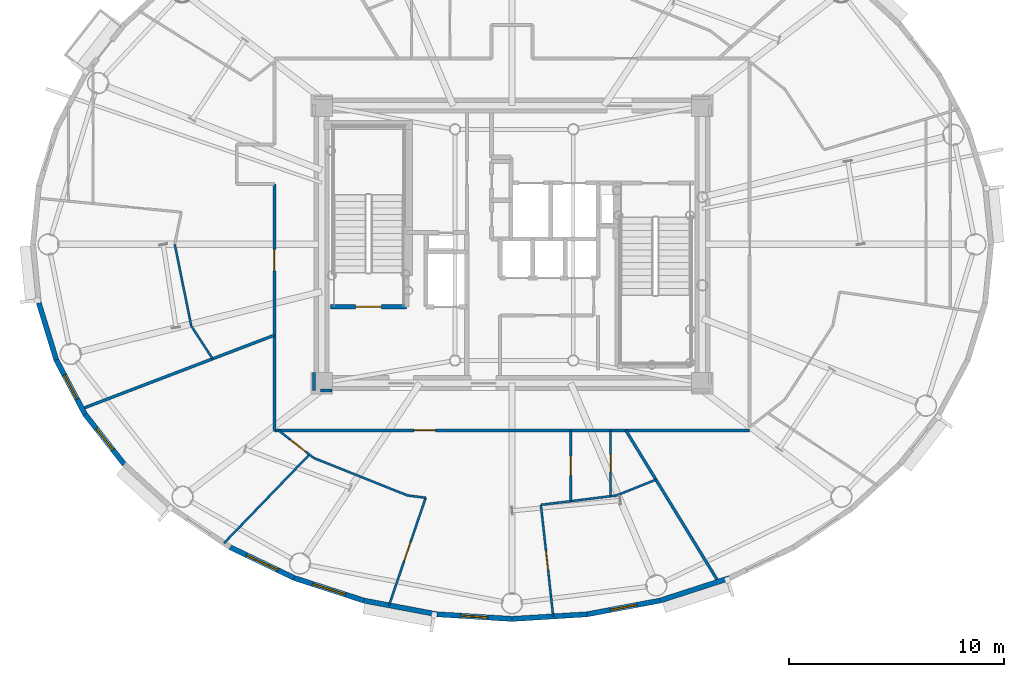
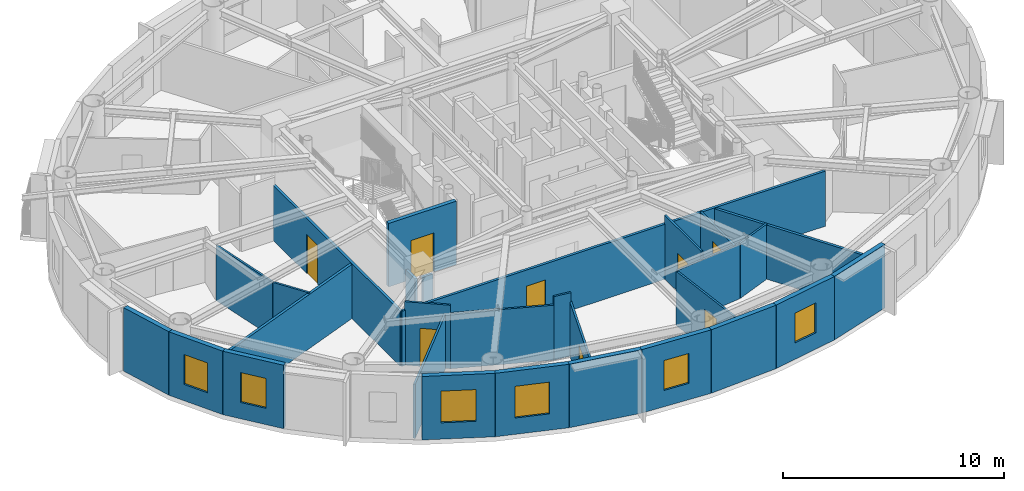
# One storey, part 7 of 18: 29 walls, 8 doors, 6 windows, 14 openings.
"""IFC4 building model written with IfcOpenShell, lengths in metres."""

from ifc_helpers import new_model, si_unit, direction, frame, frame_2d, origin, origin_2d, place, context, subcontext, project, spatial, rectangle, extrude, source, transform, mapped, material, layer, layer_set, type_object, element, fill, save


model = new_model("IFC4")

# Units and contexts
model_context = context("Model", 3, precision=1e-05, world=origin(), true_north=direction((0.0, 1.0)))
body_context = subcontext(model_context, "Body", "Model", "MODEL_VIEW")
ifc_project = project(units=[si_unit("LENGTHUNIT", "METRE"), si_unit("AREAUNIT", "SQUARE_METRE"), si_unit("VOLUMEUNIT", "CUBIC_METRE"), si_unit("PLANEANGLEUNIT", "RADIAN"), si_unit("MASSUNIT", "GRAM", prefix="KILO")], contexts=[model_context])

# Site, building, storey
site_placement = place(None, origin())
site = spatial("IfcSite", under=ifc_project, at=site_placement, CompositionType="ELEMENT")
building_placement = place(site_placement, origin())
building = spatial("IfcBuilding", under=site, at=building_placement, Name="Linh Dai School and Residence Tower", CompositionType="ELEMENT")
storey_placement = place(building_placement, frame((0.0, 0.0, 291.75)))
storey = spatial("IfcBuildingStorey", under=building, at=storey_placement, Name="L72", CompositionType="ELEMENT", Elevation=291.75)

# Wall
ifc_material_1 = material(Name="Precast Concrete B45 (C35/45)", Category="concrete")
ifc_layer_1 = layer(ifc_material_1, 0.239990234375)
ifc_layer_set_1 = layer_set([ifc_layer_1], Name="Precast Concrete B45 (C35/45)")
wall_type_1 = type_object("IfcWallType", Name="EW-TC-240", PredefinedType="SOLIDWALL", material=ifc_layer_set_1)
wall_1_placement = place(storey_placement, frame((14.811767578125, 21.627685546875, 0.0), z_axis=(0.0, 0.0, 1.0), x_axis=(-0.2931213403, 0.956075248012, 0.0)))
element("IfcWall", 1, at=wall_1_placement, inside=storey, type_object=wall_type_1, Name="L72 Terracotta Exterior Wall 22", PredefinedType="SOLIDWALL", context=body_context, shape_type="SweptSolid", body=[
    extrude(rectangle(XDim=2.775146484375, YDim=0.239990234375, at=frame_2d((1.3876953125, 0.0))), origin(), (0.0, 0.0, 1.0), 3.5),
])

# Wall, opening, window
wall_2_placement = place(storey_placement, frame((16.146240234375, 19.105224609375, 0.0), z_axis=(0.0, 0.0, 1.0), x_axis=(-0.467628269026, 0.883925224218, 0.0)))
wall_2 = element("IfcWall", 2, at=wall_2_placement, inside=storey, type_object=wall_type_1, Name="L72 Terracotta Exterior Wall 23", PredefinedType="SOLIDWALL", context=body_context, shape_type="SweptSolid", body=[
    extrude(rectangle(XDim=2.853759765625, YDim=0.239990234375, at=frame_2d((1.4267578125, 0.0))), origin(), (0.0, 0.0, 1.0), 3.5),
])
opening_1_placement = place(wall_2_placement, frame((0.802001953125, 0.0, 0.89990234375)))
opening_1 = element("IfcOpeningElement", 3, at=opening_1_placement, cuts=wall_2, Name="Opening W3", PredefinedType="OPENING", context=body_context, shape_type="SweptSolid", body=[
    extrude(rectangle(XDim=1.25, YDim=1.64990234375, at=origin_2d()), frame((0.625, 0.1298828125, 0.824951171875), z_axis=(0.0, -1.0, 0.0), x_axis=(1.0, 0.0, 0.0)), (0.0, 0.0, 1.0), 0.260009765625),
])
ifc_material_2 = material(Name="Double Low-E Insulated Glazing", Category="glass")
window_type_1 = type_object("IfcWindowType", Name="WN-RES-1250x1650", PartitioningType="SINGLE_PANEL", PredefinedType="WINDOW", material=ifc_material_2)
shared_shape_1 = source(origin(), body_context, "Body", "SweptSolid", [
    extrude(rectangle(XDim=1.25, YDim=1.64990234375, at=origin_2d()), frame((0.625, 0.030029296875, 0.824951171875), z_axis=(0.0, -1.0, 0.0), x_axis=(1.0, 0.0, 0.0)), (0.0, 0.0, 1.0), 0.06005859375),
])
window_1_placement = place(opening_1_placement, origin())
window_1 = element("IfcWindow", 4, at=window_1_placement, inside=storey, type_object=window_type_1, Name="L72 Dwelling Window U7202-BD2", OverallHeight=1.64990234375, OverallWidth=1.25, PartitioningType="SINGLE_PANEL", PredefinedType="WINDOW", context=body_context, shape_type="MappedRepresentation", body=[
    mapped(shared_shape_1, transform((0.0, 0.0, 0.0), x_axis=(1.0, 0.0, 0.0), y_axis=(0.0, 1.0, 0.0), z_axis=(0.0, 0.0, 1.0), scale=1.0)),
])
fill(opening_1, window_1)

wall_3_placement = place(storey_placement, frame((17.9697265625, 16.775390625, 0.0), z_axis=(0.0, 0.0, 1.0), x_axis=(-0.616337186556, 0.787482363275, 0.0)))
wall_3 = element("IfcWall", 5, at=wall_3_placement, inside=storey, type_object=wall_type_1, Name="L72 Terracotta Exterior Wall 24", PredefinedType="SOLIDWALL", context=body_context, shape_type="SweptSolid", body=[
    extrude(rectangle(XDim=2.95849609375, YDim=0.239990234375, at=frame_2d((1.479248046875, 0.0))), origin(), (0.0, 0.0, 1.0), 3.5),
])
opening_2_placement = place(wall_3_placement, frame((0.85400390625, 0.0, 0.89990234375)))
opening_2 = element("IfcOpeningElement", 6, at=opening_2_placement, cuts=wall_3, Name="Opening W3", PredefinedType="OPENING", context=body_context, shape_type="SweptSolid", body=[
    extrude(rectangle(XDim=1.25, YDim=1.64990234375, at=origin_2d()), frame((0.625, 0.1298828125, 0.824951171875), z_axis=(0.0, -1.0, 0.0), x_axis=(1.0, 0.0, 0.0)), (0.0, 0.0, 1.0), 0.260009765625),
])
window_2_placement = place(opening_2_placement, origin())
window_2 = element("IfcWindow", 7, at=window_2_placement, inside=storey, type_object=window_type_1, Name="L72 Exterior Window 24.1", OverallHeight=1.64990234375, OverallWidth=1.25, PartitioningType="SINGLE_PANEL", PredefinedType="WINDOW", context=body_context, shape_type="MappedRepresentation", body=[
    mapped(shared_shape_1, transform((0.0, 0.0, 0.0), x_axis=(1.0, 0.0, 0.0), y_axis=(0.0, 1.0, 0.0), z_axis=(0.0, 0.0, 1.0), scale=1.0)),
])
fill(opening_2, window_2)

wall_4_placement = place(storey_placement, frame((25.876953125, 11.48779296875, 0.0), z_axis=(0.0, 0.0, 1.0), x_axis=(-0.901573741254, 0.43262546051, 0.0)))
wall_4 = element("IfcWall", 8, at=wall_4_placement, inside=storey, type_object=wall_type_1, Name="L72 Terracotta Exterior Wall 27", PredefinedType="SOLIDWALL", context=body_context, shape_type="SweptSolid", body=[
    extrude(rectangle(XDim=3.306884765625, YDim=0.239990234375, at=frame_2d((1.6533203125, 0.0))), origin(), (0.0, 0.0, 1.0), 3.5),
])
opening_3_placement = place(wall_4_placement, frame((0.853271484375, 0.0, 0.89990234375)))
opening_3 = element("IfcOpeningElement", 9, at=opening_3_placement, cuts=wall_4, Name="Opening W2", PredefinedType="OPENING", context=body_context, shape_type="SweptSolid", body=[
    extrude(rectangle(XDim=1.60009765625, YDim=1.75, at=origin_2d()), frame((0.800048828125, 0.1298828125, 0.875), z_axis=(0.0, -1.0, 0.0), x_axis=(1.0, 0.0, 0.0)), (0.0, 0.0, 1.0), 0.260009765625),
])
window_type_2 = type_object("IfcWindowType", Name="WN-RES-1600x1750", PartitioningType="DOUBLE_PANEL_VERTICAL", PredefinedType="WINDOW", material=ifc_material_2)
shared_shape_2 = source(origin(), body_context, "Body", "SweptSolid", [
    extrude(rectangle(XDim=1.60009765625, YDim=1.75, at=origin_2d()), frame((0.800048828125, 0.030029296875, 0.875), z_axis=(0.0, -1.0, 0.0), x_axis=(1.0, 0.0, 0.0)), (0.0, 0.0, 1.0), 0.06005859375),
])
window_3_placement = place(opening_3_placement, origin())
window_3 = element("IfcWindow", 10, at=window_3_placement, inside=storey, type_object=window_type_2, Name="L72 Exterior Window 27.1", OverallHeight=1.75, OverallWidth=1.60009765625, PartitioningType="DOUBLE_PANEL_VERTICAL", PredefinedType="WINDOW", context=body_context, shape_type="MappedRepresentation", body=[
    mapped(shared_shape_2, transform((0.0, 0.0, 0.0), x_axis=(1.0, 0.0, 0.0), y_axis=(0.0, 1.0, 0.0), z_axis=(0.0, 0.0, 1.0), scale=1.0)),
])
fill(opening_3, window_3)

wall_5_placement = place(storey_placement, frame((29.10888671875, 10.439697265625, 0.0), z_axis=(0.0, 0.0, 1.0), x_axis=(-0.95123136723, 0.308478339592, 0.0)))
wall_5 = element("IfcWall", 11, at=wall_5_placement, inside=storey, type_object=wall_type_1, Name="L72 Terracotta Exterior Wall 28", PredefinedType="SOLIDWALL", context=body_context, shape_type="SweptSolid", body=[
    extrude(rectangle(XDim=3.397705078125, YDim=0.239990234375, at=frame_2d((1.69873046875, 0.0))), origin(), (0.0, 0.0, 1.0), 3.5),
])
opening_4_placement = place(wall_5_placement, frame((0.898681640625, 0.0, 0.89990234375)))
opening_4 = element("IfcOpeningElement", 12, at=opening_4_placement, cuts=wall_5, Name="Opening W2", PredefinedType="OPENING", context=body_context, shape_type="SweptSolid", body=[
    extrude(rectangle(XDim=1.60009765625, YDim=1.75, at=origin_2d()), frame((0.800048828125, 0.1298828125, 0.875), z_axis=(0.0, -1.0, 0.0), x_axis=(1.0, 0.0, 0.0)), (0.0, 0.0, 1.0), 0.260009765625),
])
window_4_placement = place(opening_4_placement, origin())
window_4 = element("IfcWindow", 13, at=window_4_placement, inside=storey, type_object=window_type_2, Name="L72 Exterior Window 28.1", OverallHeight=1.75, OverallWidth=1.60009765625, PartitioningType="DOUBLE_PANEL_VERTICAL", PredefinedType="WINDOW", context=body_context, shape_type="MappedRepresentation", body=[
    mapped(shared_shape_2, transform((0.0, 0.0, 0.0), x_axis=(1.0, 0.0, 0.0), y_axis=(0.0, 1.0, 0.0), z_axis=(0.0, 0.0, 1.0), scale=1.0)),
])
fill(opening_4, window_4)

# Wall
wall_6_placement = place(storey_placement, frame((32.51123046875, 9.800048828125, 0.0), z_axis=(0.0, 0.0, 1.0), x_axis=(-0.982782655757, 0.184765395959, 0.0)))
element("IfcWall", 14, at=wall_6_placement, inside=storey, type_object=wall_type_1, Name="L72 Terracotta Exterior Wall 29", PredefinedType="SOLIDWALL", context=body_context, shape_type="SweptSolid", body=[
    extrude(rectangle(XDim=3.4619140625, YDim=0.239990234375, at=frame_2d((1.73095703125, 0.0))), origin(), (0.0, 0.0, 1.0), 3.5),
])

# Wall, opening, window
wall_7_placement = place(storey_placement, frame((36.0, 9.5849609375, 0.0), z_axis=(0.0, 0.0, 1.0), x_axis=(-0.998104946479, 0.061534671648, 0.0)))
wall_7 = element("IfcWall", 15, at=wall_7_placement, inside=storey, type_object=wall_type_1, Name="L72 Terracotta Exterior Wall 30", PredefinedType="SOLIDWALL", context=body_context, shape_type="SweptSolid", body=[
    extrude(rectangle(XDim=3.495361328125, YDim=0.239990234375, at=frame_2d((1.74755859375, 0.0))), origin(), (0.0, 0.0, 1.0), 3.5),
])
opening_5_placement = place(wall_7_placement, frame((1.122802734375, 0.0, 0.89990234375)))
opening_5 = element("IfcOpeningElement", 16, at=opening_5_placement, cuts=wall_7, Name="Opening W3", PredefinedType="OPENING", context=body_context, shape_type="SweptSolid", body=[
    extrude(rectangle(XDim=1.25, YDim=1.64990234375, at=origin_2d()), frame((0.625, 0.1298828125, 0.824951171875), z_axis=(0.0, -1.0, 0.0), x_axis=(1.0, 0.0, 0.0)), (0.0, 0.0, 1.0), 0.260009765625),
])
window_5_placement = place(opening_5_placement, origin())
window_5 = element("IfcWindow", 17, at=window_5_placement, inside=storey, type_object=window_type_1, Name="L72 Dwelling Window U7203-LIV", OverallHeight=1.64990234375, OverallWidth=1.25, PartitioningType="SINGLE_PANEL", PredefinedType="WINDOW", context=body_context, shape_type="MappedRepresentation", body=[
    mapped(shared_shape_1, transform((0.0, 0.0, 0.0), x_axis=(1.0, 0.0, 0.0), y_axis=(0.0, 1.0, 0.0), z_axis=(0.0, 0.0, 1.0), scale=1.0)),
])
fill(opening_5, window_5)

# Wall
wall_8_placement = place(storey_placement, frame((39.48876953125, 9.800048828125, 0.0), z_axis=(0.0, 0.0, 1.0), x_axis=(-0.998104946479, -0.061534671648, 0.0)))
element("IfcWall", 18, at=wall_8_placement, inside=storey, type_object=wall_type_1, Name="L72 Terracotta Exterior Wall 31", PredefinedType="SOLIDWALL", context=body_context, shape_type="SweptSolid", body=[
    extrude(rectangle(XDim=3.495361328125, YDim=0.239990234375, at=frame_2d((1.74755859375, 0.0))), origin(), (0.0, 0.0, 1.0), 3.5),
])

# Wall, opening, window
wall_9_placement = place(storey_placement, frame((42.89111328125, 10.439697265625, 0.0), z_axis=(0.0, 0.0, 1.0), x_axis=(-0.982782655757, -0.184765395959, 0.0)))
wall_9 = element("IfcWall", 19, at=wall_9_placement, inside=storey, type_object=wall_type_1, Name="L72 Terracotta Exterior Wall 32", PredefinedType="SOLIDWALL", context=body_context, shape_type="SweptSolid", body=[
    extrude(rectangle(XDim=3.4619140625, YDim=0.239990234375, at=frame_2d((1.73095703125, 0.0))), origin(), (0.0, 0.0, 1.0), 3.5),
])
opening_6_placement = place(wall_9_placement, frame((1.10595703125, 0.0, 0.89990234375)))
opening_6 = element("IfcOpeningElement", 20, at=opening_6_placement, cuts=wall_9, Name="Opening W3", PredefinedType="OPENING", context=body_context, shape_type="SweptSolid", body=[
    extrude(rectangle(XDim=1.25, YDim=1.64990234375, at=origin_2d()), frame((0.625, 0.1298828125, 0.824951171875), z_axis=(0.0, -1.0, 0.0), x_axis=(1.0, 0.0, 0.0)), (0.0, 0.0, 1.0), 0.260009765625),
])
window_6_placement = place(opening_6_placement, origin())
window_6 = element("IfcWindow", 21, at=window_6_placement, inside=storey, type_object=window_type_1, Name="L72 Dwelling Window U7203-BD3", OverallHeight=1.64990234375, OverallWidth=1.25, PartitioningType="SINGLE_PANEL", PredefinedType="WINDOW", context=body_context, shape_type="MappedRepresentation", body=[
    mapped(shared_shape_1, transform((0.0, 0.0, 0.0), x_axis=(1.0, 0.0, 0.0), y_axis=(0.0, 1.0, 0.0), z_axis=(0.0, 0.0, 1.0), scale=1.0)),
])
fill(opening_6, window_6)

# Walls
wall_10_placement = place(storey_placement, frame((46.123046875, 11.48779296875, 0.0), z_axis=(0.0, 0.0, 1.0), x_axis=(-0.95123136723, -0.308478339592, 0.0)))
element("IfcWall", 22, at=wall_10_placement, inside=storey, type_object=wall_type_1, Name="L72 Terracotta Exterior Wall 33", PredefinedType="SOLIDWALL", context=body_context, shape_type="SweptSolid", body=[
    extrude(rectangle(XDim=3.397705078125, YDim=0.239990234375, at=frame_2d((1.69873046875, 0.0))), origin(), (0.0, 0.0, 1.0), 3.5),
])
ifc_material_3 = material(Name="Autoclaved Aerated Concrete Blockwork", Category="masonry")
ifc_layer_2 = layer(ifc_material_3, 0.135009765625)
ifc_layer_set_2 = layer_set([ifc_layer_2], Name="Autoclaved Aerated Concrete Blockwork")
wall_type_2 = type_object("IfcWallType", Name="IW-CORR-135-EI90", PredefinedType="PARTITIONING", material=ifc_layer_set_2)
wall_11_placement = place(storey_placement, frame((16.0068359375, 19.35791015625, 0.0), z_axis=(0.0, 0.0, 1.0), x_axis=(0.934094110355, 0.35702687994, 0.0)))
element("IfcWall", 23, at=wall_11_placement, inside=storey, type_object=wall_type_2, Name="L72 Interior Partition Wall 003", PredefinedType="PARTITIONING", context=body_context, shape_type="SweptSolid", body=[
    extrude(rectangle(XDim=9.57421875, YDim=0.135009765625, at=frame_2d((4.787109375, 0.0))), origin(), (0.0, 0.0, 1.0), 2.985107421875),
])

# Wall, opening, door
wall_12_placement = place(storey_placement, frame((24.949951171875, 18.35009765625, 0.0), z_axis=(0.0, 0.0, 1.0), x_axis=(0.0, 1.0, 0.0)))
wall_12 = element("IfcWall", 24, at=wall_12_placement, inside=storey, type_object=wall_type_2, Name="L72 Interior Partition Wall 014", PredefinedType="PARTITIONING", context=body_context, shape_type="SweptSolid", body=[
    extrude(rectangle(XDim=11.449951171875, YDim=0.135009765625, at=frame_2d((5.72509765625, 0.0))), origin(), (0.0, 0.0, 1.0), 3.034912109375),
])
opening_7_placement = place(wall_12_placement, frame((7.418212890625, 0.0, 0.0)))
opening_7 = element("IfcOpeningElement", 25, at=opening_7_placement, cuts=wall_12, Name="Opening D03", PredefinedType="OPENING", context=body_context, shape_type="SweptSolid", body=[
    extrude(rectangle(XDim=1.0, YDim=2.14990234375, at=origin_2d()), frame((0.5, 0.07763671875, 1.074951171875), z_axis=(0.0, -1.0, 0.0), x_axis=(1.0, 0.0, 0.0)), (0.0, 0.0, 1.0), 0.155029296875),
])
ifc_material_4 = material(Name="Fire-Rated Solid Timber Entrance Door", Category="wood")
door_type_1 = type_object("IfcDoorType", Name="DR-FLAT-1000x2150-FD60S", OperationType="NOTDEFINED", PredefinedType="DOOR", material=ifc_material_4)
shared_shape_3 = source(origin(), body_context, "Body", "SweptSolid", [
    extrude(rectangle(XDim=1.0, YDim=2.14990234375, at=origin_2d()), frame((0.5, 0.02490234375, 1.074951171875), z_axis=(0.0, -1.0, 0.0), x_axis=(1.0, 0.0, 0.0)), (0.0, 0.0, 1.0), 0.050048828125),
])
door_1_placement = place(opening_7_placement, origin())
door_1 = element("IfcDoor", 26, at=door_1_placement, inside=storey, type_object=door_type_1, Name="L72 U7202 Apartment Entrance Door", OperationType="SINGLE_SWING_LEFT", OverallHeight=2.14990234375, OverallWidth=1.0, PredefinedType="DOOR", context=body_context, shape_type="MappedRepresentation", body=[
    mapped(shared_shape_3, transform((0.0, 0.0, 0.0), x_axis=(1.0, 0.0, 0.0), y_axis=(0.0, 1.0, 0.0), z_axis=(0.0, 0.0, 1.0), scale=1.0)),
])
fill(opening_7, door_1)

wall_13_placement = place(storey_placement, frame((24.949951171875, 18.35009765625, 0.0), z_axis=(0.0, 0.0, 1.0), x_axis=(1.0, 0.0, 0.0)))
wall_13 = element("IfcWall", 27, at=wall_13_placement, inside=storey, type_object=wall_type_2, Name="L72 Interior Partition Wall 015", PredefinedType="PARTITIONING", context=body_context, shape_type="SweptSolid", body=[
    extrude(rectangle(XDim=22.10009765625, YDim=0.135009765625, at=frame_2d((11.050048828125, 0.0))), origin(), (0.0, 0.0, 1.0), 3.034912109375),
])
opening_8_placement = place(wall_13_placement, frame((6.489501953125, 0.0, 0.0)))
opening_8 = element("IfcOpeningElement", 28, at=opening_8_placement, cuts=wall_13, Name="Opening D03", PredefinedType="OPENING", context=body_context, shape_type="SweptSolid", body=[
    extrude(rectangle(XDim=1.0, YDim=2.14990234375, at=origin_2d()), frame((0.5, 0.07763671875, 1.074951171875), z_axis=(0.0, -1.0, 0.0), x_axis=(1.0, 0.0, 0.0)), (0.0, 0.0, 1.0), 0.155029296875),
])
door_2_placement = place(opening_8_placement, origin())
door_2 = element("IfcDoor", 29, at=door_2_placement, inside=storey, type_object=door_type_1, Name="L72 U7203 Apartment Entrance Door", OperationType="SINGLE_SWING_RIGHT", OverallHeight=2.14990234375, OverallWidth=1.0, PredefinedType="DOOR", context=body_context, shape_type="MappedRepresentation", body=[
    mapped(shared_shape_3, transform((0.0, 0.0, 0.0), x_axis=(1.0, 0.0, 0.0), y_axis=(0.0, 1.0, 0.0), z_axis=(0.0, 0.0, 1.0), scale=1.0)),
])
fill(opening_8, door_2)

# Walls
wall_14_placement = place(storey_placement, frame((41.292236328125, 18.35009765625, 0.0), z_axis=(0.0, 0.0, 1.0), x_axis=(0.521891606098, -0.853011812043, 0.0)))
element("IfcWall", 30, at=wall_14_placement, inside=storey, type_object=wall_type_2, Name="L72 Interior Partition Wall 068", PredefinedType="PARTITIONING", context=body_context, shape_type="SweptSolid", body=[
    extrude(rectangle(XDim=8.25048828125, YDim=0.135009765625, at=frame_2d((4.125244140625, 0.0))), origin(), (0.0, 0.0, 1.0), 2.985107421875),
])
wall_15_placement = place(storey_placement, frame((26.800048828125, 21.0400390625, 0.0), z_axis=(0.0, 0.0, 1.0), x_axis=(0.0, -1.0, 0.0)))
element("IfcWall", 31, at=wall_15_placement, inside=storey, type_object=wall_type_2, Name="L72 Interior Partition Wall 087", PredefinedType="PARTITIONING", context=body_context, shape_type="SweptSolid", body=[
    extrude(rectangle(XDim=0.840087890625, YDim=0.135009765625, at=frame_2d((0.419921875, 0.0))), origin(), (0.0, 0.0, 1.0), 3.034912109375),
])
wall_16_placement = place(storey_placement, frame((27.107421875, 20.199951171875, 0.0), z_axis=(0.0, 0.0, 1.0), x_axis=(1.0, 0.0, 0.0)))
element("IfcWall", 32, at=wall_16_placement, inside=storey, type_object=wall_type_2, Name="L72 Interior Partition Wall 088", PredefinedType="PARTITIONING", context=body_context, shape_type="SweptSolid", body=[
    extrude(rectangle(XDim=0.532470703125, YDim=0.135009765625, at=frame_2d((0.26611328125, 0.0))), origin(), (0.0, 0.0, 1.0), 3.034912109375),
])

# Wall, opening, door
ifc_material_5 = material(Name="Concrete B45 (C35/45)", Category="concrete")
ifc_layer_3 = layer(ifc_material_5, 0.199951171875)
ifc_layer_set_3 = layer_set([ifc_layer_3], Name="Concrete B45 (C35/45)")
wall_type_3 = type_object("IfcWallType", Name="IW-SHAFT-200-EI120", PredefinedType="PARTITIONING", material=ifc_layer_set_3)
wall_17_placement = place(storey_placement, frame((27.56005859375, 24.10009765625, 0.0), z_axis=(0.0, 0.0, 1.0), x_axis=(1.0, 0.0, 0.0)))
wall_17 = element("IfcWall", 33, at=wall_17_placement, inside=storey, type_object=wall_type_3, Name="L72 Interior Partition Wall 021", PredefinedType="PARTITIONING", context=body_context, shape_type="SweptSolid", body=[
    extrude(rectangle(XDim=3.5400390625, YDim=0.199951171875, at=frame_2d((1.77001953125, 0.0))), origin(), (0.0, 0.0, 1.0), 3.5),
])
opening_9_placement = place(wall_17_placement, frame((1.169921875, 0.0, 0.0)))
opening_9 = element("IfcOpeningElement", 34, at=opening_9_placement, cuts=wall_17, Name="Opening D01", PredefinedType="OPENING", context=body_context, shape_type="SweptSolid", body=[
    extrude(rectangle(XDim=1.199951171875, YDim=2.14990234375, at=origin_2d()), frame((0.60009765625, 0.10986328125, 1.074951171875), z_axis=(0.0, -1.0, 0.0), x_axis=(1.0, 0.0, 0.0)), (0.0, 0.0, 1.0), 0.219970703125),
])
ifc_material_6 = material(Name="Fire-Rated Steel Door Leaf", Category="steel")
door_type_2 = type_object("IfcDoorType", Name="DR-STAIR-1200x2150-FD90S", OperationType="NOTDEFINED", PredefinedType="DOOR", material=ifc_material_6)
shared_shape_4 = source(origin(), body_context, "Body", "SweptSolid", [
    extrude(rectangle(XDim=1.199951171875, YDim=2.14990234375, at=origin_2d()), frame((0.60009765625, 0.02490234375, 1.074951171875), z_axis=(0.0, -1.0, 0.0), x_axis=(1.0, 0.0, 0.0)), (0.0, 0.0, 1.0), 0.050048828125),
])
door_3_placement = place(opening_9_placement, origin())
door_3 = element("IfcDoor", 35, at=door_3_placement, inside=storey, type_object=door_type_2, Name="L72 Core Smokeproof Exit Stair ST1 Door", OperationType="SINGLE_SWING_RIGHT", OverallHeight=2.14990234375, OverallWidth=1.199951171875, PredefinedType="DOOR", context=body_context, shape_type="MappedRepresentation", body=[
    mapped(shared_shape_4, transform((0.0, 0.0, 0.0), x_axis=(1.0, 0.0, 0.0), y_axis=(0.0, 1.0, 0.0), z_axis=(0.0, 0.0, 1.0), scale=1.0)),
])
fill(opening_9, door_3)

# Walls
ifc_material_7 = material(Name="Gypsum Plasterboard Acoustic Stud Partition", Category="masonry")
ifc_layer_4 = layer(ifc_material_7, 0.10009765625)
ifc_layer_set_4 = layer_set([ifc_layer_4], Name="Gypsum Plasterboard Acoustic Stud Partition")
wall_type_4 = type_object("IfcWallType", Name="IW-UNIT-100", PredefinedType="PARTITIONING", material=ifc_layer_set_4)
wall_18_placement = place(storey_placement, frame((20.320068359375, 27.0, 0.0), z_axis=(0.0, 0.0, 1.0), x_axis=(0.198226068862, -0.980156327135, 0.0)))
element("IfcWall", 36, at=wall_18_placement, inside=storey, type_object=wall_type_4, Name="L72 Interior Partition Wall 007", PredefinedType="PARTITIONING", context=body_context, shape_type="SweptSolid", body=[
    extrude(rectangle(XDim=3.87109375, YDim=0.10009765625, at=frame_2d((1.935546875, 0.0))), origin(), (0.0, 0.0, 1.0), 3.034912109375),
])
wall_19_placement = place(storey_placement, frame((21.08740234375, 23.205810546875, 0.0), z_axis=(0.0, 0.0, 1.0), x_axis=(0.545384128846, -0.838186227519, 0.0)))
element("IfcWall", 37, at=wall_19_placement, inside=storey, type_object=wall_type_4, Name="L72 Interior Partition Wall 008", PredefinedType="PARTITIONING", context=body_context, shape_type="SweptSolid", body=[
    extrude(rectangle(XDim=1.821044921875, YDim=0.10009765625, at=frame_2d((0.91064453125, 0.0))), origin(), (0.0, 0.0, 1.0), 3.034912109375),
])
wall_20_placement = place(storey_placement, frame((22.607177734375, 13.105224609375, 0.0), z_axis=(0.0, 0.0, 1.0), x_axis=(0.693978480191, 0.71999574237, 0.0)))
element("IfcWall", 38, at=wall_20_placement, inside=storey, type_object=wall_type_4, Name="L72 Interior Partition Wall 009", PredefinedType="PARTITIONING", context=body_context, shape_type="SweptSolid", body=[
    extrude(rectangle(XDim=5.72412109375, YDim=0.10009765625, at=frame_2d((2.862060546875, 0.0))), origin(), (0.0, 0.0, 1.0), 2.985107421875),
])

# Wall, opening, door
wall_21_placement = place(storey_placement, frame((25.144775390625, 18.35009765625, 0.0), z_axis=(0.0, 0.0, 1.0), x_axis=(0.787326747019, -0.616535962803, 0.0)))
wall_21 = element("IfcWall", 39, at=wall_21_placement, inside=storey, type_object=wall_type_4, Name="L72 Interior Partition Wall 018", PredefinedType="PARTITIONING", context=body_context, shape_type="SweptSolid", body=[
    extrude(rectangle(XDim=2.081298828125, YDim=0.10009765625, at=frame_2d((1.04052734375, 0.0))), origin(), (0.0, 0.0, 1.0), 3.5),
])
opening_10_placement = place(wall_21_placement, frame((0.69775390625, 0.0, 0.0)))
opening_10 = element("IfcOpeningElement", 40, at=opening_10_placement, cuts=wall_21, Name="Opening D05", PredefinedType="OPENING", context=body_context, shape_type="SweptSolid", body=[
    extrude(rectangle(XDim=0.89990234375, YDim=2.10009765625, at=origin_2d()), frame((0.449951171875, 0.06005859375, 1.050048828125), z_axis=(0.0, -1.0, 0.0), x_axis=(1.0, 0.0, 0.0)), (0.0, 0.0, 1.0), 0.1201171875),
])
ifc_material_8 = material(Name="Engineered Timber Internal Door", Category="wood")
door_type_3 = type_object("IfcDoorType", Name="DR-INT-900x2100", OperationType="NOTDEFINED", PredefinedType="DOOR", material=ifc_material_8)
shared_shape_5 = source(origin(), body_context, "Body", "SweptSolid", [
    extrude(rectangle(XDim=0.89990234375, YDim=2.10009765625, at=origin_2d()), frame((0.449951171875, 0.02490234375, 1.050048828125), z_axis=(0.0, -1.0, 0.0), x_axis=(1.0, 0.0, 0.0)), (0.0, 0.0, 1.0), 0.050048828125),
])
door_4_placement = place(opening_10_placement, origin())
door_4 = element("IfcDoor", 41, at=door_4_placement, inside=storey, type_object=door_type_3, Name="L72 Apartment U7203 Principal Bedroom 1 Door", OperationType="SINGLE_SWING_LEFT", OverallHeight=2.10009765625, OverallWidth=0.89990234375, PredefinedType="DOOR", context=body_context, shape_type="MappedRepresentation", body=[
    mapped(shared_shape_5, transform((0.0, 0.0, 0.0), x_axis=(1.0, 0.0, 0.0), y_axis=(0.0, 1.0, 0.0), z_axis=(0.0, 0.0, 1.0), scale=1.0)),
])
fill(opening_10, door_4)

# Wall
wall_22_placement = place(storey_placement, frame((26.783447265625, 17.06689453125, 0.0), z_axis=(0.0, 0.0, 1.0), x_axis=(0.928809047774, -0.370558703544, 0.0)))
element("IfcWall", 42, at=wall_22_placement, inside=storey, type_object=wall_type_4, Name="L72 Interior Partition Wall 020", PredefinedType="PARTITIONING", context=body_context, shape_type="SweptSolid", body=[
    extrude(rectangle(XDim=4.7060546875, YDim=0.10009765625, at=frame_2d((2.35302734375, 0.0))), origin(), (0.0, 0.0, 1.0), 3.034912109375),
])

# Wall, opening, door
wall_23_placement = place(storey_placement, frame((30.281982421875, 10.2138671875, 0.0), z_axis=(0.0, 0.0, 1.0), x_axis=(0.322425759237, 0.946594754782, 0.0)))
wall_23 = element("IfcWall", 43, at=wall_23_placement, inside=storey, type_object=wall_type_4, Name="L72 Interior Partition Wall 023", PredefinedType="PARTITIONING", context=body_context, shape_type="SweptSolid", body=[
    extrude(rectangle(XDim=5.288330078125, YDim=0.10009765625, at=frame_2d((2.64404296875, 0.0))), origin(), (0.0, 0.0, 1.0), 2.985107421875),
])
opening_11_placement = place(wall_23_placement, frame((2.194091796875, 0.0, 0.0)))
opening_11 = element("IfcOpeningElement", 44, at=opening_11_placement, cuts=wall_23, Name="Opening D05", PredefinedType="OPENING", context=body_context, shape_type="SweptSolid", body=[
    extrude(rectangle(XDim=0.89990234375, YDim=2.10009765625, at=origin_2d()), frame((0.449951171875, 0.06005859375, 1.050048828125), z_axis=(0.0, -1.0, 0.0), x_axis=(1.0, 0.0, 0.0)), (0.0, 0.0, 1.0), 0.1201171875),
])
door_5_placement = place(opening_11_placement, origin())
door_5 = element("IfcDoor", 45, at=door_5_placement, inside=storey, type_object=door_type_3, Name="L72 Apartment U7203 Bedroom 2 Door", OperationType="SINGLE_SWING_RIGHT", OverallHeight=2.10009765625, OverallWidth=0.89990234375, PredefinedType="DOOR", context=body_context, shape_type="MappedRepresentation", body=[
    mapped(shared_shape_5, transform((0.0, 0.0, 0.0), x_axis=(1.0, 0.0, 0.0), y_axis=(0.0, 1.0, 0.0), z_axis=(0.0, 0.0, 1.0), scale=1.0)),
])
fill(opening_11, door_5)

# Wall
wall_24_placement = place(storey_placement, frame((31.154541015625, 15.322998046875, 0.0), z_axis=(0.0, 0.0, 1.0), x_axis=(0.992393849535, -0.123103401277, 0.0)))
element("IfcWall", 46, at=wall_24_placement, inside=storey, type_object=wall_type_4, Name="L72 Interior Partition Wall 026", PredefinedType="PARTITIONING", context=body_context, shape_type="SweptSolid", body=[
    extrude(rectangle(XDim=0.8388671875, YDim=0.10009765625, at=frame_2d((0.41943359375, 0.0))), origin(), (0.0, 0.0, 1.0), 3.5),
])

# Wall, opening, door
wall_25_placement = place(storey_placement, frame((37.34228515625, 14.888427734375, 0.0), z_axis=(0.0, 0.0, 1.0), x_axis=(0.110149295127, -0.993915053102, 0.0)))
wall_25 = element("IfcWall", 47, at=wall_25_placement, inside=storey, type_object=wall_type_4, Name="L72 Interior Partition Wall 053", PredefinedType="PARTITIONING", context=body_context, shape_type="SweptSolid", body=[
    extrude(rectangle(XDim=5.221923828125, YDim=0.10009765625, at=frame_2d((2.61083984375, 0.0))), origin(), (0.0, 0.0, 1.0), 2.985107421875),
])
opening_12_placement = place(wall_25_placement, frame((2.160888671875, 0.0, 0.0)))
opening_12 = element("IfcOpeningElement", 48, at=opening_12_placement, cuts=wall_25, Name="Opening D05", PredefinedType="OPENING", context=body_context, shape_type="SweptSolid", body=[
    extrude(rectangle(XDim=0.89990234375, YDim=2.10009765625, at=origin_2d()), frame((0.449951171875, 0.06005859375, 1.050048828125), z_axis=(0.0, -1.0, 0.0), x_axis=(1.0, 0.0, 0.0)), (0.0, 0.0, 1.0), 0.1201171875),
])
door_6_placement = place(opening_12_placement, origin())
door_6 = element("IfcDoor", 49, at=door_6_placement, inside=storey, type_object=door_type_3, Name="L72 Apartment U7203 Bedroom 3 Door", OperationType="SINGLE_SWING_LEFT", OverallHeight=2.10009765625, OverallWidth=0.89990234375, PredefinedType="DOOR", context=body_context, shape_type="MappedRepresentation", body=[
    mapped(shared_shape_5, transform((0.0, 0.0, 0.0), x_axis=(1.0, 0.0, 0.0), y_axis=(0.0, 1.0, 0.0), z_axis=(0.0, 0.0, 1.0), scale=1.0)),
])
fill(opening_12, door_6)

# Wall
wall_26_placement = place(storey_placement, frame((37.34228515625, 14.888427734375, 0.0), z_axis=(0.0, 0.0, 1.0), x_axis=(0.992393420873, 0.123106856865, 0.0)))
element("IfcWall", 50, at=wall_26_placement, inside=storey, type_object=wall_type_4, Name="L72 Interior Partition Wall 054", PredefinedType="PARTITIONING", context=body_context, shape_type="SweptSolid", body=[
    extrude(rectangle(XDim=3.530029296875, YDim=0.10009765625, at=frame_2d((1.76513671875, 0.0))), origin(), (0.0, 0.0, 1.0), 3.034912109375),
])

# Wall, opening, door
wall_27_placement = place(storey_placement, frame((38.734375, 15.06103515625, 0.0), z_axis=(0.0, 0.0, 1.0), x_axis=(0.0, 1.0, 0.0)))
wall_27 = element("IfcWall", 51, at=wall_27_placement, inside=storey, type_object=wall_type_4, Name="L72 Interior Partition Wall 057", PredefinedType="PARTITIONING", context=body_context, shape_type="SweptSolid", body=[
    extrude(rectangle(XDim=3.2890625, YDim=0.10009765625, at=frame_2d((1.64453125, 0.0))), origin(), (0.0, 0.0, 1.0), 3.5),
])
opening_13_placement = place(wall_27_placement, frame((1.1943359375, 0.0, 0.0)))
opening_13 = element("IfcOpeningElement", 52, at=opening_13_placement, cuts=wall_27, Name="Opening D05", PredefinedType="OPENING", context=body_context, shape_type="SweptSolid", body=[
    extrude(rectangle(XDim=0.89990234375, YDim=2.10009765625, at=origin_2d()), frame((0.449951171875, 0.06005859375, 1.050048828125), z_axis=(0.0, -1.0, 0.0), x_axis=(1.0, 0.0, 0.0)), (0.0, 0.0, 1.0), 0.1201171875),
])
door_7_placement = place(opening_13_placement, origin())
door_7 = element("IfcDoor", 53, at=door_7_placement, inside=storey, type_object=door_type_3, Name="L72 Apartment U7203 Kitchen Door", OperationType="SINGLE_SWING_RIGHT", OverallHeight=2.10009765625, OverallWidth=0.89990234375, PredefinedType="DOOR", context=body_context, shape_type="MappedRepresentation", body=[
    mapped(shared_shape_5, transform((0.0, 0.0, 0.0), x_axis=(1.0, 0.0, 0.0), y_axis=(0.0, 1.0, 0.0), z_axis=(0.0, 0.0, 1.0), scale=1.0)),
])
fill(opening_13, door_7)

wall_28_placement = place(storey_placement, frame((40.58740234375, 15.291015625, 0.0), z_axis=(0.0, 0.0, 1.0), x_axis=(0.0, 1.0, 0.0)))
wall_28 = element("IfcWall", 54, at=wall_28_placement, inside=storey, type_object=wall_type_4, Name="L72 Interior Partition Wall 061", PredefinedType="PARTITIONING", context=body_context, shape_type="SweptSolid", body=[
    extrude(rectangle(XDim=3.05908203125, YDim=0.10009765625, at=frame_2d((1.529541015625, 0.0))), origin(), (0.0, 0.0, 1.0), 3.034912109375),
])
opening_14_placement = place(wall_28_placement, frame((1.119384765625, 0.0, 0.0)))
opening_14 = element("IfcOpeningElement", 55, at=opening_14_placement, cuts=wall_28, Name="Opening D06", PredefinedType="OPENING", context=body_context, shape_type="SweptSolid", body=[
    extrude(rectangle(XDim=0.820068359375, YDim=2.10009765625, at=origin_2d()), frame((0.41015625, 0.06005859375, 1.050048828125), z_axis=(0.0, -1.0, 0.0), x_axis=(1.0, 0.0, 0.0)), (0.0, 0.0, 1.0), 0.1201171875),
])
ifc_material_9 = material(Name="Moisture-Resistant Timber Bathroom Door", Category="wood")
door_type_4 = type_object("IfcDoorType", Name="DR-WET-820x2100", OperationType="NOTDEFINED", PredefinedType="DOOR", material=ifc_material_9)
shared_shape_6 = source(origin(), body_context, "Body", "SweptSolid", [
    extrude(rectangle(XDim=0.820068359375, YDim=2.10009765625, at=origin_2d()), frame((0.41015625, 0.02490234375, 1.050048828125), z_axis=(0.0, -1.0, 0.0), x_axis=(1.0, 0.0, 0.0)), (0.0, 0.0, 1.0), 0.050048828125),
])
door_8_placement = place(opening_14_placement, origin())
door_8 = element("IfcDoor", 56, at=door_8_placement, inside=storey, type_object=door_type_4, Name="L72 Apartment U7203 Bathroom 1 Door", OperationType="SINGLE_SWING_LEFT", OverallHeight=2.10009765625, OverallWidth=0.820068359375, PredefinedType="DOOR", context=body_context, shape_type="MappedRepresentation", body=[
    mapped(shared_shape_6, transform((0.0, 0.0, 0.0), x_axis=(1.0, 0.0, 0.0), y_axis=(0.0, 1.0, 0.0), z_axis=(0.0, 0.0, 1.0), scale=1.0)),
])
fill(opening_14, door_8)

# Wall
wall_29_placement = place(storey_placement, frame((40.845458984375, 15.322998046875, 0.0), z_axis=(0.0, 0.0, 1.0), x_axis=(0.928797929692, 0.370586569913, 0.0)))
element("IfcWall", 57, at=wall_29_placement, inside=storey, type_object=wall_type_4, Name="L72 Interior Partition Wall 064", PredefinedType="PARTITIONING", context=body_context, shape_type="SweptSolid", body=[
    extrude(rectangle(XDim=1.989501953125, YDim=0.10009765625, at=frame_2d((0.99462890625, 0.0))), origin(), (0.0, 0.0, 1.0), 3.034912109375),
])

save(model, "model.ifc")
